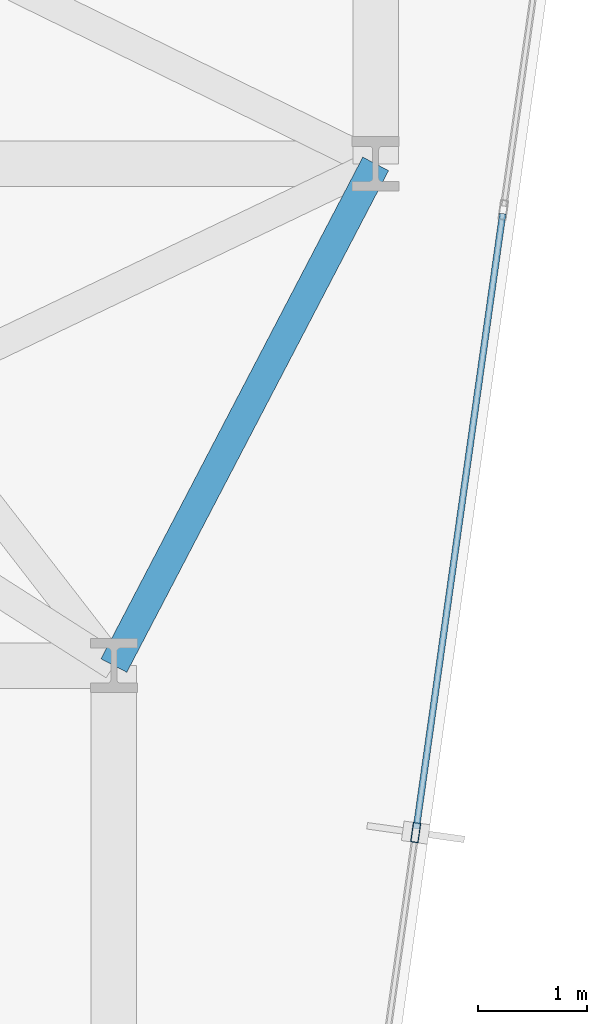
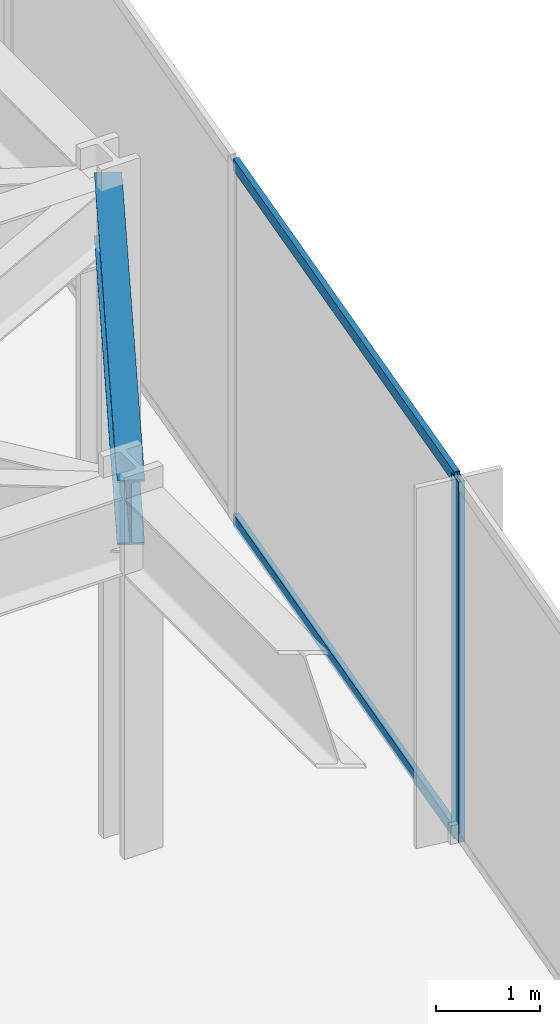
# One storey, part 17 of 28: 3 members, 1 beam, 1 element without a shape of its own.
"""IFC4 building model written with IfcOpenShell, lengths in metres."""

from ifc_helpers import new_model, si_unit, direction, frame, origin, origin_2d, place, context, subcontext, project, spatial, hollow_rectangle, i_section, extrude, material, layer, layer_set, material_profile, profile_set, type_object, element, aggregate, save


model = new_model("IFC4")

# Units and contexts
model_context = context("Model", 3, precision=1e-05, world=origin(), true_north=direction((0.0, 1.0)))
body_context = subcontext(model_context, "Body", "Model", "MODEL_VIEW")
ifc_project = project(units=[si_unit("LENGTHUNIT", "METRE"), si_unit("AREAUNIT", "SQUARE_METRE"), si_unit("VOLUMEUNIT", "CUBIC_METRE"), si_unit("PLANEANGLEUNIT", "RADIAN"), si_unit("MASSUNIT", "GRAM", prefix="KILO")], contexts=[model_context])

# Site, building, storey
site_placement = place(None, origin())
site = spatial("IfcSite", under=ifc_project, at=site_placement, CompositionType="ELEMENT")
building_placement = place(site_placement, origin())
building = spatial("IfcBuilding", under=site, at=building_placement, Name="Kravanh Interchange Tower", CompositionType="ELEMENT")
storey_placement = place(building_placement, frame((0.0, 0.0, 91.5)))
storey = spatial("IfcBuildingStorey", under=building, at=storey_placement, Name="L21", CompositionType="ELEMENT", Elevation=91.5)

# Curtain wall, members
ifc_material_1 = material(Name="Anodised Bronze Aluminium", Category="aluminium")
ifc_layer = layer(ifc_material_1, 0.179931640625)
ifc_layer_set = layer_set([ifc_layer], Name="Unitised Curtain Wall System CW-SKY Sky Observatory")
curtain_wall_type = type_object("IfcCurtainWallType", Name="Unitised Curtain Wall System CW-SKY Sky Observatory", PredefinedType="NOTDEFINED", material=ifc_layer_set)
curtain_wall_placement = place(storey_placement, origin())
curtain_wall = element("IfcCurtainWall", 1, at=curtain_wall_placement, inside=storey, type_object=curtain_wall_type, Name="L21 Unitised Curtain Wall CW-L21-02", PredefinedType="NOTDEFINED")
ifc_material_2 = material(Name="Anodised Bronze Aluminium", Category="aluminium")
ifc_material_profile_1 = material_profile(ifc_material_2, hollow_rectangle(XDim=0.070068359375, YDim=0.179931640625, WallThickness=0.00390625, at=origin_2d()), Name="ALU70X180X4")
ifc_profile_set_1 = profile_set([ifc_material_profile_1], Name="Anodised Bronze Aluminium")
member_type_1 = type_object("IfcMemberType", Name="Curtain Wall Mullion ALU70X180X4 Bronze", PredefinedType="MULLION", material=ifc_profile_set_1)
member_1_placement = place(storey_placement, frame((65.96728515625, 20.66845703125, 0.0), z_axis=(0.0, 0.0, 1.0), x_axis=(0.990267585682, -0.139176538065, 0.0)))
member_1 = element("IfcMember", 2, at=member_1_placement, type_object=member_type_1, Name="CW-SKY mullion 4", PredefinedType="MULLION", context=body_context, shape_type="SweptSolid", body=[
    extrude(hollow_rectangle(XDim=0.070068359375, YDim=0.179931640625, WallThickness=0.00390625, at=origin_2d()), origin(), (0.0, 0.0, 1.0), 4.25),
])
ifc_material_3 = material(Name="Anodised Bronze Aluminium", Category="aluminium")
ifc_material_profile_2 = material_profile(ifc_material_3, hollow_rectangle(XDim=0.06005859375, YDim=0.139892578125, WallThickness=0.00390625, at=origin_2d()), Name="ALU60X140X4")
ifc_profile_set_2 = profile_set([ifc_material_profile_2], Name="Anodised Bronze Aluminium")
member_type_2 = type_object("IfcMemberType", Name="Curtain Wall Transom ALU60X140X4 Bronze", PredefinedType="USERDEFINED", material=ifc_profile_set_2)
member_2_placement = place(storey_placement, frame((66.76513671875, 26.34423828125, 0.030029296875), z_axis=(-0.139200984921, -0.990264149506, 0.0), x_axis=(0.990264149506, -0.139200984921, 0.0)))
member_2 = element("IfcMember", 3, at=member_2_placement, type_object=member_type_2, Name="CW-SKY transom 3.1", ObjectType="TRANSOM", PredefinedType="USERDEFINED", context=body_context, shape_type="SweptSolid", body=[
    extrude(hollow_rectangle(XDim=0.06005859375, YDim=0.139892578125, WallThickness=0.00390625, at=origin_2d()), origin(), (0.0, 0.0, 1.0), 5.696533203125),
])
member_3_placement = place(storey_placement, frame((66.76513671875, 26.34423828125, 4.219970703125), z_axis=(-0.139200984921, -0.990264149506, 0.0), x_axis=(0.990264149506, -0.139200984921, 0.0)))
member_3 = element("IfcMember", 4, at=member_3_placement, type_object=member_type_2, Name="CW-SKY transom 3.2", ObjectType="TRANSOM", PredefinedType="USERDEFINED", context=body_context, shape_type="SweptSolid", body=[
    extrude(hollow_rectangle(XDim=0.06005859375, YDim=0.139892578125, WallThickness=0.00390625, at=origin_2d()), origin(), (0.0, 0.0, 1.0), 5.696533203125),
])
aggregate(curtain_wall, [member_1, member_2, member_3])

# Beam
ifc_material_4 = material(Name="Structural Steel S355", Category="steel")
ifc_material_profile_3 = material_profile(ifc_material_4, i_section(OverallWidth=0.26708984375, OverallDepth=0.761962890625, WebThickness=0.014404296875, FlangeThickness=0.021484375, FilletRadius=0.02490234375, at=origin_2d()), Name="W30X116")
ifc_profile_set_3 = profile_set([ifc_material_profile_3], Name="Structural Steel S355")
beam_type = type_object("IfcBeamType", Name="Floor Spandrel W30X116 Structural Steel S355", PredefinedType="SPANDREL", material=ifc_profile_set_3)
beam_placement = place(storey_placement, frame((63.199951171875, 22.199951171875, 3.868896484375), z_axis=(0.462580479178, 0.886577295155, 0.0), x_axis=(-0.886577295155, 0.462580479178, 0.0)))
element("IfcBeam", 5, at=beam_placement, inside=storey, type_object=beam_type, Name="L21 Perimeter Spandrel 62", PredefinedType="SPANDREL", context=body_context, shape_type="SweptSolid", body=[
    extrude(i_section(OverallWidth=0.26708984375, OverallDepth=0.761962890625, WebThickness=0.014404296875, FlangeThickness=0.021484375, FilletRadius=0.02490234375, at=origin_2d()), origin(), (0.0, 0.0, 1.0), 5.188720703125),
])

save(model, "model.ifc")
